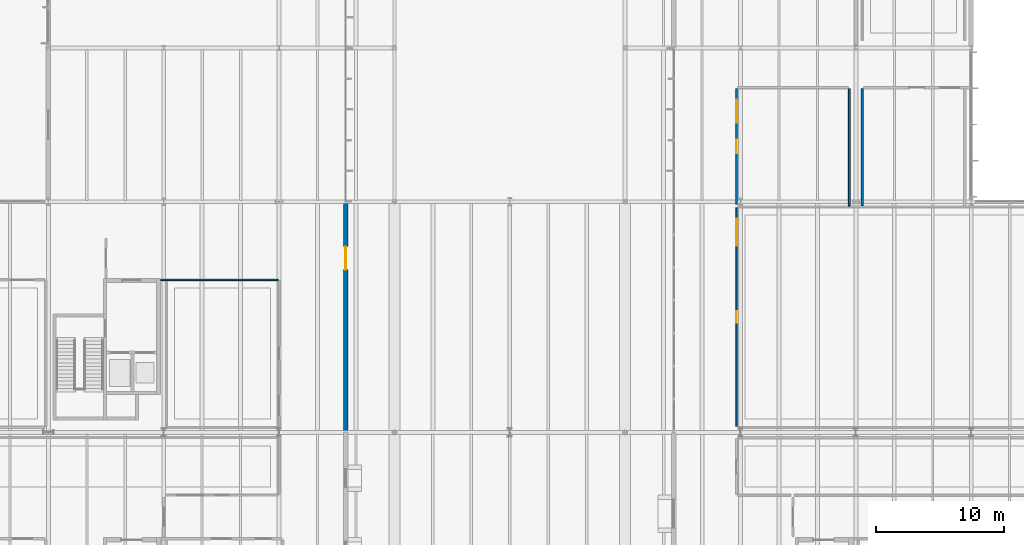
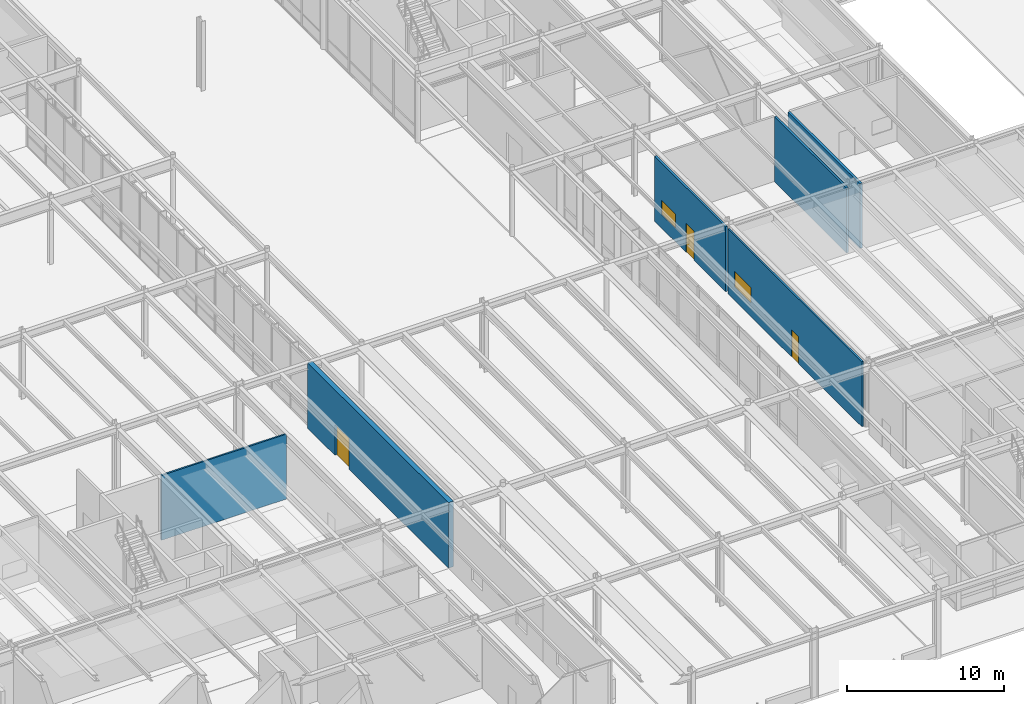
# One storey, part 123 of 143: 6 walls, 3 doors, 2 windows, 5 openings.
"""IFC4 building model written with IfcOpenShell, lengths in metres."""

from ifc_helpers import new_model, si_unit, direction, frame, frame_2d, origin, place, context, subcontext, project, spatial, rectangle, extrude, material, layer, layer_set, type_object, element, fill, save


model = new_model("IFC4")

# Units and contexts
model_context = context("Model", 3, precision=1e-05, world=origin(), true_north=direction((0.0, 1.0)))
body_context = subcontext(model_context, "Body", "Model", "MODEL_VIEW")
ifc_project = project(units=[si_unit("LENGTHUNIT", "METRE"), si_unit("AREAUNIT", "SQUARE_METRE"), si_unit("VOLUMEUNIT", "CUBIC_METRE"), si_unit("PLANEANGLEUNIT", "RADIAN"), si_unit("MASSUNIT", "GRAM", prefix="KILO")], contexts=[model_context])

# Site, building, storey
site_placement = place(None, origin())
site = spatial("IfcSite", under=ifc_project, at=site_placement, CompositionType="ELEMENT")
building_placement = place(site_placement, origin())
building = spatial("IfcBuilding", under=site, at=building_placement, Name="Montelvaro Courts of Justice", CompositionType="ELEMENT")
storey_placement = place(building_placement, origin())
storey = spatial("IfcBuildingStorey", under=building, at=storey_placement, Name="L00", CompositionType="ELEMENT", Elevation=0.0)

# Wall
ifc_material_1 = material(Name="Gypsum board on metal stud")
ifc_layer_1 = layer(ifc_material_1, 0.14990234375)
ifc_layer_set_1 = layer_set([ifc_layer_1], Name="Gypsum board on metal stud")
wall_type_1 = type_object("IfcWallType", Name="ChambersPartition_150", PredefinedType="PARTITIONING", material=ifc_layer_set_1)
wall_1_placement = place(storey_placement, frame((116.5, 50.820068359375, 0.0), z_axis=(0.0, 0.0, 1.0), x_axis=(0.0, -1.0, 0.0)))
element("IfcWall", 1, at=wall_1_placement, inside=storey, type_object=wall_type_1, Name="Interior Partition IW-04 (L00)", PredefinedType="PARTITIONING", context=body_context, shape_type="SweptSolid", body=[
    extrude(rectangle(XDim=9.1650390625, YDim=0.14990234375, at=frame_2d((4.58251953125, 0.0))), origin(), (0.0, 0.0, 1.0), 5.0400390625),
])

# Wall, openings, door, window
wall_2_placement = place(storey_placement, frame((107.699951171875, 41.780029296875, 0.0), z_axis=(0.0, 0.0, 1.0), x_axis=(0.0, 1.0, 0.0)))
wall_2 = element("IfcWall", 2, at=wall_2_placement, inside=storey, type_object=wall_type_1, Name="Interior Partition IW-04 (L00)", PredefinedType="PARTITIONING", context=body_context, shape_type="SweptSolid", body=[
    extrude(rectangle(XDim=9.0400390625, YDim=0.14990234375, at=frame_2d((4.52001953125, 0.0))), origin(), (0.0, 0.0, 1.0), 5.0400390625),
])
opening_1_placement = place(wall_2_placement, frame((3.9951171875, 0.0, 0.0)))
opening_1 = element("IfcOpeningElement", 3, at=opening_1_placement, cuts=wall_2, Name="Opening D-L00-043", PredefinedType="OPENING", context=body_context, shape_type="SweptSolid", body=[
    extrude(rectangle(XDim=1.050048828125, YDim=2.25, at=frame_2d((0.52490234375, 1.125))), frame((0.0, 0.08984375, 0.0), z_axis=(0.0, -1.0, 0.0), x_axis=(1.0, 0.0, 0.0)), (0.0, 0.0, 1.0), 0.1796875),
])
opening_2_placement = place(wall_2_placement, frame((6.389892578125, 0.0, 1.050048828125)))
opening_2 = element("IfcOpeningElement", 4, at=opening_2_placement, cuts=wall_2, Name="Opening WI-01", PredefinedType="OPENING", context=body_context, shape_type="SweptSolid", body=[
    extrude(rectangle(XDim=1.800048828125, YDim=1.10009765625, at=frame_2d((0.89990234375, 0.550048828125))), frame((0.0, 0.08984375, 0.0), z_axis=(0.0, -1.0, 0.0), x_axis=(1.0, 0.0, 0.0)), (0.0, 0.0, 1.0), 0.1796875),
])
ifc_material_2 = material(Name="Acoustic oak timber veneer", Category="wood")
door_type_1 = type_object("IfcDoorType", Name="ChamberDoor_105x225", OperationType="NOTDEFINED", PredefinedType="DOOR", material=ifc_material_2)
door_1_placement = place(opening_1_placement, frame((1.050048828125, 0.0, 0.0), z_axis=(0.0, 0.0, 1.0), x_axis=(-1.0, 0.0, 0.0)))
door_1 = element("IfcDoor", 5, at=door_1_placement, inside=storey, type_object=door_type_1, Name="Interior Door D-L00-043 (Citizen Service and Wedding Hall)", OperationType="SINGLE_SWING_RIGHT", OverallHeight=2.25, OverallWidth=1.050048828125, PredefinedType="DOOR", context=body_context, shape_type="SweptSolid", body=[
    extrude(rectangle(XDim=1.050048828125, YDim=2.25, at=frame_2d((0.52490234375, 1.125))), frame((0.0, 0.02490234375, 0.0), z_axis=(0.0, -1.0, 0.0), x_axis=(1.0, 0.0, 0.0)), (0.0, 0.0, 1.0), 0.050048828125),
])
fill(opening_1, door_1)
ifc_material_3 = material(Name="Acoustic laminated double glazing", Category="glass")
window_type_1 = type_object("IfcWindowType", Name="IntVision_180x110", PartitioningType="SINGLE_PANEL", PredefinedType="WINDOW", material=ifc_material_3)
window_1_placement = place(opening_2_placement, origin())
window_1 = element("IfcWindow", 6, at=window_1_placement, inside=storey, type_object=window_type_1, Name="Interior Vision Panel WI-025", OverallHeight=1.10009765625, OverallWidth=1.800048828125, PartitioningType="SINGLE_PANEL", PredefinedType="WINDOW", context=body_context, shape_type="SweptSolid", body=[
    extrude(rectangle(XDim=1.800048828125, YDim=1.10009765625, at=frame_2d((0.89990234375, 0.550048828125))), frame((0.0, 0.030029296875, 0.0), z_axis=(0.0, -1.0, 0.0), x_axis=(1.0, 0.0, 0.0)), (0.0, 0.0, 1.0), 0.06005859375),
])
fill(opening_2, window_1)

# Wall
ifc_material_4 = material(Name="Fire-rated gypsum and steel stud", Category="steel")
ifc_layer_2 = layer(ifc_material_4, 0.179931640625)
ifc_layer_set_2 = layer_set([ifc_layer_2], Name="Fire-rated gypsum and steel stud")
wall_type_2 = type_object("IfcWallType", Name="CorridorFireWall_180", PredefinedType="PARTITIONING", material=ifc_layer_set_2)
wall_3_placement = place(storey_placement, frame((117.5, 41.655029296875, 0.0), z_axis=(0.0, 0.0, 1.0), x_axis=(0.0, 1.0, 0.0)))
element("IfcWall", 7, at=wall_3_placement, inside=storey, type_object=wall_type_2, Name="Interior Partition IW-02 (L00)", PredefinedType="PARTITIONING", context=body_context, shape_type="SweptSolid", body=[
    extrude(rectangle(XDim=9.1650390625, YDim=0.179931640625, at=frame_2d((4.58251953125, 0.0))), origin(), (0.0, 0.0, 1.0), 5.0400390625),
])

# Wall, opening, door
ifc_material_5 = material(Name="Precast concrete C45/55", Category="concrete")
ifc_layer_3 = layer(ifc_material_5, 0.35009765625)
ifc_layer_set_3 = layer_set([ifc_layer_3], Name="Precast concrete C45/55")
wall_type_3 = type_object("IfcWallType", Name="ExtWall_Limestone_350", PredefinedType="SOLIDWALL", material=ifc_layer_set_3)
wall_4_placement = place(storey_placement, frame((77.199951171875, 24.0400390625, 0.0), z_axis=(0.0, 0.0, 1.0), x_axis=(0.0, 1.0, 0.0)))
wall_4 = element("IfcWall", 8, at=wall_4_placement, inside=storey, type_object=wall_type_3, Name="Exterior Facade Wall EW-03 (L00)", PredefinedType="SOLIDWALL", context=body_context, shape_type="SweptSolid", body=[
    extrude(rectangle(XDim=17.969970703125, YDim=0.35009765625, at=frame_2d((8.98486328125, 0.0))), origin(), (0.0, 0.0, 1.0), 5.080078125),
])
opening_3_placement = place(wall_4_placement, frame((12.659912109375, 0.0, 0.0)))
opening_3 = element("IfcOpeningElement", 9, at=opening_3_placement, cuts=wall_4, Name="Opening ED-05", PredefinedType="OPENING", context=body_context, shape_type="SweptSolid", body=[
    extrude(rectangle(XDim=1.800048828125, YDim=2.39990234375, at=frame_2d((0.89990234375, 1.199951171875))), frame((0.0, 0.18994140625, 0.0), z_axis=(0.0, -1.0, 0.0), x_axis=(1.0, 0.0, 0.0)), (0.0, 0.0, 1.0), 0.3798828125),
])
ifc_material_6 = material(Name="Galvanised steel S355 fire door", Category="steel")
door_type_2 = type_object("IfcDoorType", Name="ExtDoor_Exit_180x240", OperationType="DOUBLE_DOOR_SINGLE_SWING", PredefinedType="DOOR", material=ifc_material_6)
door_2_placement = place(opening_3_placement, frame((1.800048828125, 0.0, 0.0), z_axis=(0.0, 0.0, 1.0), x_axis=(-1.0, 0.0, 0.0)))
door_2 = element("IfcDoor", 10, at=door_2_placement, inside=storey, type_object=door_type_2, Name="Final Pedestrian Exit ED-05 Stair ST-W1", OperationType="DOUBLE_DOOR_SINGLE_SWING", OverallHeight=2.39990234375, OverallWidth=1.800048828125, PredefinedType="DOOR", context=body_context, shape_type="SweptSolid", body=[
    extrude(rectangle(XDim=1.800048828125, YDim=2.39990234375, at=frame_2d((0.89990234375, 1.199951171875))), frame((0.0, 0.02490234375, 0.0), z_axis=(0.0, -1.0, 0.0), x_axis=(1.0, 0.0, 0.0)), (0.0, 0.0, 1.0), 0.050048828125),
])
fill(opening_3, door_2)

# Wall
ifc_layer_4 = layer(ifc_material_1, 0.1201171875)
ifc_layer_set_4 = layer_set([ifc_layer_4], Name="Gypsum board on metal stud")
wall_type_4 = type_object("IfcWallType", Name="OfficePartition_120", PredefinedType="PARTITIONING", material=ifc_layer_set_4)
wall_5_placement = place(storey_placement, frame((62.7548828125, 35.89990234375, 0.0), z_axis=(0.0, 0.0, 1.0), x_axis=(1.0, 0.0, 0.0)))
element("IfcWall", 11, at=wall_5_placement, inside=storey, type_object=wall_type_4, Name="Interior Partition IW-05 (L00)", PredefinedType="PARTITIONING", context=body_context, shape_type="SweptSolid", body=[
    extrude(rectangle(XDim=9.1650390625, YDim=0.1201171875, at=frame_2d((4.58251953125, 0.0))), origin(), (0.0, 0.0, 1.0), 5.0400390625),
])

# Wall, openings, window, door
wall_6_placement = place(storey_placement, frame((107.699951171875, 24.47998046875, 0.0), z_axis=(0.0, 0.0, 1.0), x_axis=(0.0, 1.0, 0.0)))
wall_6 = element("IfcWall", 12, at=wall_6_placement, inside=storey, type_object=wall_type_4, Name="Interior Partition IW-05 (L00)", PredefinedType="PARTITIONING", context=body_context, shape_type="SweptSolid", body=[
    extrude(rectangle(XDim=17.0400390625, YDim=0.1201171875, at=frame_2d((8.52001953125, 0.0))), origin(), (0.0, 0.0, 1.0), 5.0400390625),
])
opening_4_placement = place(wall_6_placement, frame((8.070068359375, 0.0, 0.0)))
opening_4 = element("IfcOpeningElement", 13, at=opening_4_placement, cuts=wall_6, Name="Opening D-L00-042", PredefinedType="OPENING", context=body_context, shape_type="SweptSolid", body=[
    extrude(rectangle(XDim=0.89990234375, YDim=2.10009765625, at=frame_2d((0.449951171875, 1.050048828125))), frame((0.0, 0.074951171875, 0.0), z_axis=(0.0, -1.0, 0.0), x_axis=(1.0, 0.0, 0.0)), (0.0, 0.0, 1.0), 0.14990234375),
])
opening_5_placement = place(wall_6_placement, frame((14.090087890625, 0.0, 1.050048828125)))
opening_5 = element("IfcOpeningElement", 14, at=opening_5_placement, cuts=wall_6, Name="Opening WI-04", PredefinedType="OPENING", context=body_context, shape_type="SweptSolid", body=[
    extrude(rectangle(XDim=2.10009765625, YDim=1.199951171875, at=frame_2d((1.050048828125, 0.60009765625))), frame((0.0, 0.074951171875, 0.0), z_axis=(0.0, -1.0, 0.0), x_axis=(1.0, 0.0, 0.0)), (0.0, 0.0, 1.0), 0.14990234375),
])
window_type_2 = type_object("IfcWindowType", Name="IntVision_210x120", PartitioningType="SINGLE_PANEL", PredefinedType="WINDOW", material=ifc_material_3)
window_2_placement = place(opening_5_placement, origin())
window_2 = element("IfcWindow", 15, at=window_2_placement, inside=storey, type_object=window_type_2, Name="Interior Vision Panel WI-024", OverallHeight=1.199951171875, OverallWidth=2.10009765625, PartitioningType="SINGLE_PANEL", PredefinedType="WINDOW", context=body_context, shape_type="SweptSolid", body=[
    extrude(rectangle(XDim=2.10009765625, YDim=1.199951171875, at=frame_2d((1.050048828125, 0.60009765625))), frame((0.0, 0.030029296875, 0.0), z_axis=(0.0, -1.0, 0.0), x_axis=(1.0, 0.0, 0.0)), (0.0, 0.0, 1.0), 0.06005859375),
])
fill(opening_5, window_2)
door_type_3 = type_object("IfcDoorType", Name="OfficeDoor_090x210", OperationType="NOTDEFINED", PredefinedType="DOOR", material=ifc_material_2)
door_3_placement = place(opening_4_placement, origin())
door_3 = element("IfcDoor", 16, at=door_3_placement, inside=storey, type_object=door_type_3, Name="Interior Door D-L00-042 (Civil Registry Counter Hall)", OperationType="SINGLE_SWING_LEFT", OverallHeight=2.10009765625, OverallWidth=0.89990234375, PredefinedType="DOOR", context=body_context, shape_type="SweptSolid", body=[
    extrude(rectangle(XDim=0.89990234375, YDim=2.10009765625, at=frame_2d((0.449951171875, 1.050048828125))), frame((0.0, 0.02490234375, 0.0), z_axis=(0.0, -1.0, 0.0), x_axis=(1.0, 0.0, 0.0)), (0.0, 0.0, 1.0), 0.050048828125),
])
fill(opening_4, door_3)

save(model, "model.ifc")
